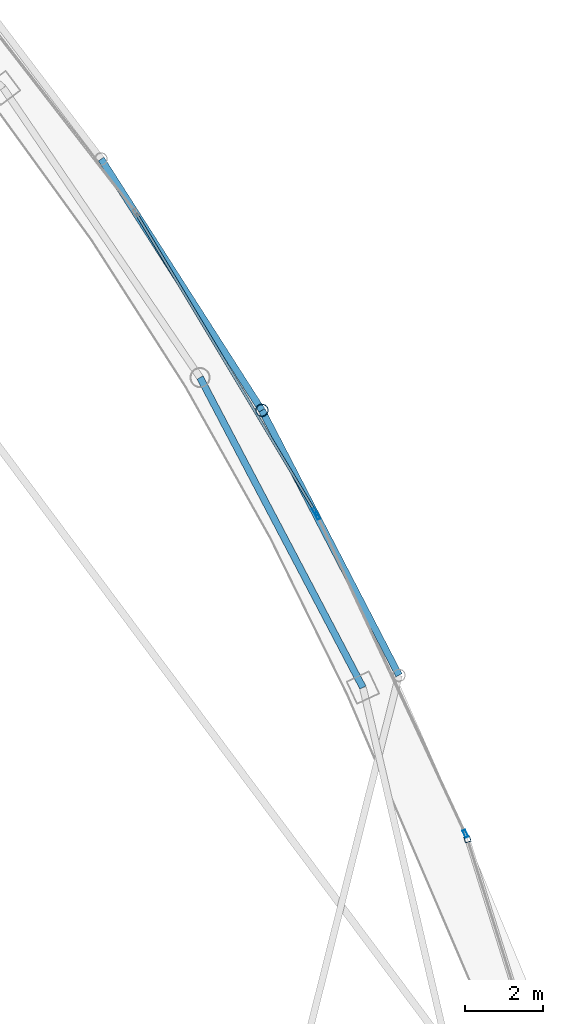
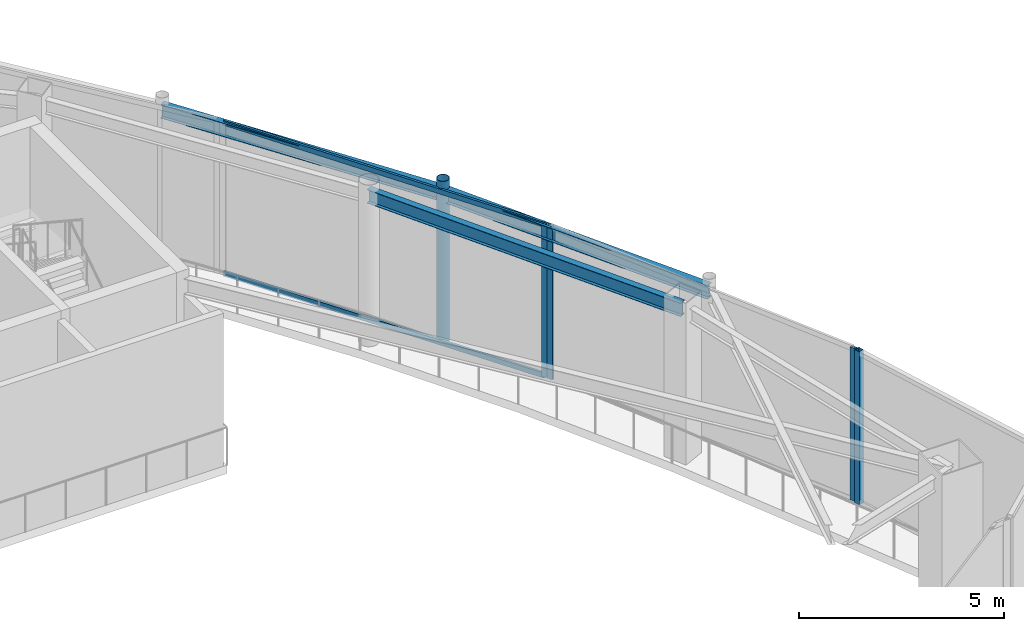
# One storey, part 13 of 19: 7 members, 3 beams, 3 elements without a shape of their own.
"""IFC4 building model written with IfcOpenShell, lengths in metres."""

from ifc_helpers import new_model, si_unit, direction, frame, origin, origin_2d, place, context, subcontext, project, spatial, hollow_rectangle, hollow_circle, i_section, extrude, material, layer, layer_set, material_profile, profile_set, type_object, element, aggregate, save


model = new_model("IFC4")

# Units and contexts
model_context = context("Model", 3, precision=1e-05, world=origin(), true_north=direction((0.0, 1.0)))
body_context = subcontext(model_context, "Body", "Model", "MODEL_VIEW")
ifc_project = project(units=[si_unit("LENGTHUNIT", "METRE"), si_unit("AREAUNIT", "SQUARE_METRE"), si_unit("VOLUMEUNIT", "CUBIC_METRE"), si_unit("PLANEANGLEUNIT", "RADIAN"), si_unit("MASSUNIT", "GRAM", prefix="KILO")], contexts=[model_context])

# Site, building, storey
site_placement = place(None, origin())
site = spatial("IfcSite", under=ifc_project, at=site_placement, CompositionType="ELEMENT")
building_placement = place(site_placement, origin())
building = spatial("IfcBuilding", under=site, at=building_placement, Name="Orvanel Arch Residences", CompositionType="ELEMENT")
storey_placement = place(building_placement, frame((0.0, 0.0, 286.10009765625)))
storey = spatial("IfcBuildingStorey", under=building, at=storey_placement, Name="L81", CompositionType="ELEMENT", Elevation=286.10009765625)

# Curtain wall, member
ifc_material_1 = material(Name="Bronze-anodised aluminium AA6063-T6", Category="aluminium")
ifc_layer = layer(ifc_material_1, 0.2099609375)
ifc_layer_set = layer_set([ifc_layer], Name="Bronze-anodised aluminium AA6063-T6")
curtain_wall_type = type_object("IfcCurtainWallType", Name="CW7-TOP-SYS", PredefinedType="NOTDEFINED", material=ifc_layer_set)
curtain_wall_1_placement = place(storey_placement, origin())
curtain_wall_1 = element("IfcCurtainWall", 1, at=curtain_wall_1_placement, inside=storey, type_object=curtain_wall_type, Name="L81 CW7-TOP-SYS Unitised Curtain Wall", PredefinedType="NOTDEFINED")
ifc_material_profile_1 = material_profile(ifc_material_1, hollow_rectangle(XDim=0.14990234375, YDim=0.14990234375, WallThickness=0.0048828125, at=origin_2d()), Name="ALU150x150x5")
ifc_profile_set_1 = profile_set([ifc_material_profile_1], Name="Bronze-anodised aluminium AA6063-T6")
member_type_1 = type_object("IfcMemberType", Name="MUL-150x150", PredefinedType="MULLION", material=ifc_profile_set_1)
member_1_placement = place(storey_placement, frame((52.330322265625, 15.7294921875, 0.0), z_axis=(0.0, 0.0, 1.0), x_axis=(-0.954283945864, -0.298901573542, 0.0)))
member_1 = element("IfcMember", 2, at=member_1_placement, type_object=member_type_1, Name="CW-S7 mullion 2", PredefinedType="MULLION", context=body_context, shape_type="SweptSolid", body=[
    extrude(hollow_rectangle(XDim=0.14990234375, YDim=0.14990234375, WallThickness=0.0048828125, at=origin_2d()), origin(), (0.0, 0.0, 1.0), 4.5498046875),
])
aggregate(curtain_wall_1, [member_1])

# Curtain wall, members
curtain_wall_2_placement = place(storey_placement, origin())
curtain_wall_2 = element("IfcCurtainWall", 3, at=curtain_wall_2_placement, inside=storey, type_object=curtain_wall_type, Name="L81 CW7-TOP-SYS Unitised Curtain Wall", PredefinedType="NOTDEFINED")
ifc_material_profile_2 = material_profile(ifc_material_1, hollow_rectangle(XDim=0.074951171875, YDim=0.199951171875, WallThickness=0.0048828125, at=origin_2d()), Name="ALU200x75x5")
ifc_profile_set_2 = profile_set([ifc_material_profile_2], Name="Bronze-anodised aluminium AA6063-T6")
member_type_2 = type_object("IfcMemberType", Name="MUL-200x75", PredefinedType="MULLION", material=ifc_profile_set_2)
member_2_placement = place(storey_placement, frame((52.278076171875, 15.8720703125, 0.0), z_axis=(0.0, 0.0, 1.0), x_axis=(-0.906426569511, -0.422363438385, 0.0)))
member_2 = element("IfcMember", 4, at=member_2_placement, type_object=member_type_2, Name="CW-S7 mullion 1", PredefinedType="MULLION", context=body_context, shape_type="SweptSolid", body=[
    extrude(hollow_rectangle(XDim=0.074951171875, YDim=0.199951171875, WallThickness=0.0048828125, at=origin_2d()), origin(), (0.0, 0.0, 1.0), 4.5498046875),
])
member_3_placement = place(storey_placement, frame((48.455810546875, 24.074951171875, 0.0), z_axis=(0.0, 0.0, 1.0), x_axis=(-0.906426569511, -0.422363438385, 0.0)))
member_3 = element("IfcMember", 5, at=member_3_placement, type_object=member_type_2, Name="CW-S7 mullion 2", PredefinedType="MULLION", context=body_context, shape_type="SweptSolid", body=[
    extrude(hollow_rectangle(XDim=0.074951171875, YDim=0.199951171875, WallThickness=0.0048828125, at=origin_2d()), origin(), (0.0, 0.0, 1.0), 4.5498046875),
])
aggregate(curtain_wall_2, [member_2, member_3])

# Curtain wall, member
curtain_wall_3_placement = place(storey_placement, origin())
curtain_wall_3 = element("IfcCurtainWall", 6, at=curtain_wall_3_placement, inside=storey, type_object=curtain_wall_type, Name="L81 CW7-TOP-SYS Unitised Curtain Wall", PredefinedType="NOTDEFINED")
member_4_placement = place(storey_placement, frame((48.402587890625, 24.17626953125, 0.0), z_axis=(0.0, 0.0, 1.0), x_axis=(-0.857522096821, -0.514447133788, 0.0)))
member_4 = element("IfcMember", 7, at=member_4_placement, type_object=member_type_2, Name="CW-S7 mullion 1", PredefinedType="MULLION", context=body_context, shape_type="SweptSolid", body=[
    extrude(hollow_rectangle(XDim=0.074951171875, YDim=0.199951171875, WallThickness=0.0048828125, at=origin_2d()), origin(), (0.0, 0.0, 1.0), 4.5498046875),
])

# Beams
ifc_material_2 = material(Name="Structural steel AS/NZS 3679.1 Grade 300 (300 MPa)", Category="steel")
ifc_material_profile_3 = material_profile(ifc_material_2, i_section(OverallWidth=0.177978515625, OverallDepth=0.406005859375, WebThickness=0.0078125, FlangeThickness=0.0126953125, at=origin_2d()), Name="410UB59.7")
ifc_profile_set_3 = profile_set([ifc_material_profile_3], Name="Structural steel AS/NZS 3679.1 Grade 300 (300 MPa)")
beam_type_1 = type_object("IfcBeamType", Name="OB-410UB", PredefinedType="SPANDREL", material=ifc_profile_set_3)
beam_1_placement = place(storey_placement, frame((49.633056640625, 19.64208984375, 4.346923828125), z_axis=(-0.465064762793, 0.885276660942, 0.0), x_axis=(-0.885276660942, -0.465064762793, 0.0)))
element("IfcBeam", 8, at=beam_1_placement, inside=storey, type_object=beam_type_1, Name="L81 Perimeter Spandrel Beam 07", PredefinedType="SPANDREL", context=body_context, shape_type="SweptSolid", body=[
    extrude(i_section(OverallWidth=0.177978515625, OverallDepth=0.406005859375, WebThickness=0.0078125, FlangeThickness=0.0126953125, at=origin_2d()), origin(), (0.0, 0.0, 1.0), 9.03564453125),
])
ifc_material_profile_4 = material_profile(ifc_material_2, i_section(OverallWidth=0.177978515625, OverallDepth=0.406005859375, WebThickness=0.0078125, FlangeThickness=0.0126953125, at=origin_2d()), Name="410UB59.7")
ifc_profile_set_4 = profile_set([ifc_material_profile_4], Name="Structural steel AS/NZS 3679.1 Grade 300 (300 MPa)")
beam_type_2 = type_object("IfcBeamType", Name="OB-410UB-EXT", PredefinedType="SPANDREL", material=ifc_profile_set_4)
beam_2_placement = place(storey_placement, frame((50.56396484375, 19.9580078125, 4.346923828125), z_axis=(-0.459425507077, 0.888216304425, 0.0), x_axis=(-0.888216304425, -0.459425507077, 0.0)))
element("IfcBeam", 9, at=beam_2_placement, inside=storey, type_object=beam_type_2, Name="L81 Outer Perimeter Floor Ring Beam 09", PredefinedType="SPANDREL", context=body_context, shape_type="SweptSolid", body=[
    extrude(i_section(OverallWidth=0.177978515625, OverallDepth=0.406005859375, WebThickness=0.0078125, FlangeThickness=0.0126953125, at=origin_2d()), origin(), (0.0, 0.0, 1.0), 7.698486328125),
])
beam_3_placement = place(storey_placement, frame((47.027099609375, 26.7958984375, 4.346923828125), z_axis=(-0.538901583392, 0.842368733642, 0.0), x_axis=(-0.842368733642, -0.538901583392, 0.0)))
element("IfcBeam", 10, at=beam_3_placement, inside=storey, type_object=beam_type_2, Name="L81 Outer Perimeter Floor Ring Beam 10", PredefinedType="SPANDREL", context=body_context, shape_type="SweptSolid", body=[
    extrude(i_section(OverallWidth=0.177978515625, OverallDepth=0.406005859375, WebThickness=0.0078125, FlangeThickness=0.0126953125, at=origin_2d()), origin(), (0.0, 0.0, 1.0), 7.697509765625),
])

# Member
ifc_material_3 = material(Name="Structural steel AS/NZS 1163 C350L0 (Grade 350)", Category="steel")
ifc_material_profile_5 = material_profile(ifc_material_3, hollow_circle(Radius=0.162109375, WallThickness=0.0126953125, at=origin_2d()), Name="CHS324x12.7")
ifc_profile_set_5 = profile_set([ifc_material_profile_5], Name="Structural steel AS/NZS 1163 C350L0 (Grade 350)")
member_type_3 = type_object("IfcMemberType", Name="ST-324CHS-EXT", PredefinedType="STRUT", material=ifc_profile_set_5)
member_5_placement = place(storey_placement, frame((47.027099609375, 26.7958984375, 0.0), z_axis=(0.0, 0.0, 1.0), x_axis=(1.0, 0.0, 0.0)))
element("IfcMember", 11, at=member_5_placement, inside=storey, type_object=member_type_3, Name="L81 Outer Perimeter Frame Post 10", PredefinedType="STRUT", context=body_context, shape_type="SweptSolid", body=[
    extrude(hollow_circle(Radius=0.162109375, WallThickness=0.0126953125, at=origin_2d()), origin(), (0.0, 0.0, 1.0), 4.7998046875),
])

ifc_material_profile_6 = material_profile(ifc_material_1, hollow_rectangle(XDim=0.06494140625, YDim=0.14990234375, WallThickness=0.00390625, at=origin_2d()), Name="ALU150x65x4")
ifc_profile_set_6 = profile_set([ifc_material_profile_6], Name="Bronze-anodised aluminium AA6063-T6")
member_type_4 = type_object("IfcMemberType", Name="TRN-150x65", PredefinedType="USERDEFINED", material=ifc_profile_set_6)
member_6_placement = place(storey_placement, frame((48.38330078125, 24.208251953125, 0.032470703125), z_axis=(-0.514447475071, 0.857521892078, 0.0), x_axis=(-0.857521892078, -0.514447475071, 0.0)))
member_6 = element("IfcMember", 12, at=member_6_placement, type_object=member_type_4, Name="CW-S7 transom 1.1", ObjectType="TRANSOM", PredefinedType="USERDEFINED", context=body_context, shape_type="SweptSolid", body=[
    extrude(hollow_rectangle(XDim=0.06494140625, YDim=0.14990234375, WallThickness=0.00390625, at=origin_2d()), origin(), (0.0, 0.0, 1.0), 8.923828125),
])

member_7_placement = place(storey_placement, frame((48.38330078125, 24.208251953125, 4.517333984375), z_axis=(-0.514447475071, 0.857521892078, 0.0), x_axis=(-0.857521892078, -0.514447475071, 0.0)))
member_7 = element("IfcMember", 13, at=member_7_placement, type_object=member_type_4, Name="CW-S7 transom 1.2", ObjectType="TRANSOM", PredefinedType="USERDEFINED", context=body_context, shape_type="SweptSolid", body=[
    extrude(hollow_rectangle(XDim=0.06494140625, YDim=0.14990234375, WallThickness=0.00390625, at=origin_2d()), origin(), (0.0, 0.0, 1.0), 8.923828125),
])

aggregate(curtain_wall_3, [member_4, member_6, member_7])

save(model, "model.ifc")
